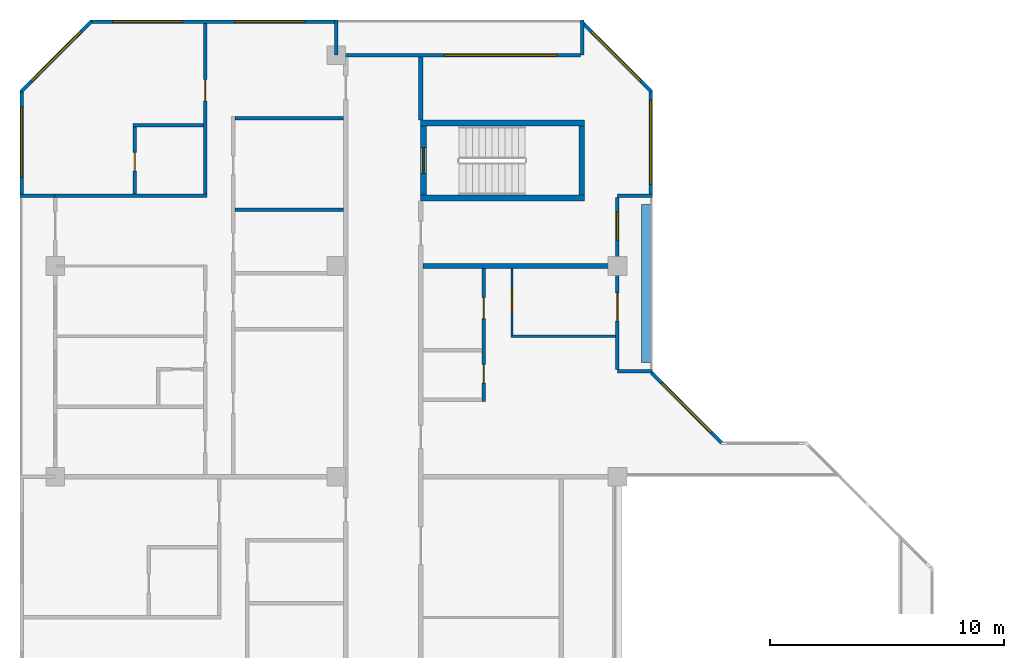
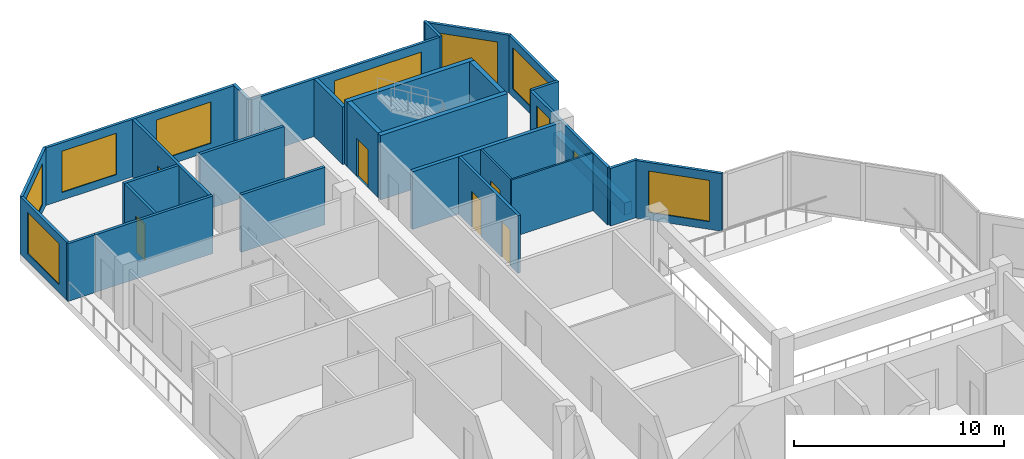
# One storey, part 10 of 13: 29 walls, 9 windows, 7 doors, 16 openings.
"""IFC4 building model written with IfcOpenShell, lengths in metres."""

from ifc_helpers import new_model, si_unit, direction, frame, frame_2d, origin, place, context, subcontext, project, spatial, rectangle, extrude, material, layer, layer_set, type_object, element, fill, save


model = new_model("IFC4")

# Units and contexts
model_context = context("Model", 3, precision=1e-05, world=origin(), true_north=direction((0.0, 1.0)))
body_context = subcontext(model_context, "Body", "Model", "MODEL_VIEW")
ifc_project = project(units=[si_unit("LENGTHUNIT", "METRE"), si_unit("AREAUNIT", "SQUARE_METRE"), si_unit("VOLUMEUNIT", "CUBIC_METRE"), si_unit("PLANEANGLEUNIT", "RADIAN"), si_unit("MASSUNIT", "GRAM", prefix="KILO")], contexts=[model_context])

# Site, building, storey
site_placement = place(None, origin())
site = spatial("IfcSite", under=ifc_project, at=site_placement, CompositionType="ELEMENT")
building_placement = place(site_placement, origin())
building = spatial("IfcBuilding", under=site, at=building_placement, Name="Chenar Terraces", CompositionType="ELEMENT")
storey_placement = place(building_placement, frame((0.0, 0.0, 299.64990234375)))
storey = spatial("IfcBuildingStorey", under=building, at=storey_placement, Name="L70", CompositionType="ELEMENT", Elevation=299.64990234375)

# Walls
ifc_material_1 = material(Name="Concrete C50/60", Category="concrete")
ifc_layer_1 = layer(ifc_material_1, 0.25)
ifc_layer_set_1 = layer_set([ifc_layer_1], Name="Concrete C50/60")
wall_type_1 = type_object("IfcWallType", Name="Core wall 250 Concrete C50/60", PredefinedType="SHEAR", material=ifc_layer_set_1)
for number, where, z_axis, x_axis, name in (
    (1, (15.60009765625, 47.89990234375, 0.0), (0.0, 0.0, 1.0), (1.0, 0.0, 0.0), "Core wall ST4_S L70"),
    (2, (15.60009765625, 51.10009765625, 0.0), (0.0, 0.0, 1.0), (1.0, 0.0, 0.0), "Core wall ST4_N L70"),
):
    element("IfcWall", number, at=place(storey_placement, frame(where, z_axis=z_axis, x_axis=x_axis)), inside=storey, type_object=wall_type_1, Name=name, PredefinedType="SHEAR", context=body_context, shape_type="SweptSolid", body=[
        extrude(rectangle(XDim=7.0, YDim=0.25, at=frame_2d((3.5, 0.0))), origin(), (0.0, 0.0, 1.0), 3.75),
    ])

# Wall, opening, door
wall_1_placement = place(storey_placement, frame((15.72509765625, 48.02490234375, 0.0), z_axis=(0.0, 0.0, 1.0), x_axis=(0.0, 1.0, 0.0)))
wall_1 = element("IfcWall", 3, at=wall_1_placement, inside=storey, type_object=wall_type_1, Name="Core wall ST4_W L70", PredefinedType="SHEAR", context=body_context, shape_type="SweptSolid", body=[
    extrude(rectangle(XDim=2.9501953125, YDim=0.25, at=frame_2d((1.47509765625, 0.0))), origin(), (0.0, 0.0, 1.0), 3.75),
])
opening_1_placement = place(wall_1_placement, frame((0.925048828125, 0.0, 0.0)))
opening_1 = element("IfcOpeningElement", 4, at=opening_1_placement, cuts=wall_1, Name="Opening DL70-C9", PredefinedType="OPENING", context=body_context, shape_type="SweptSolid", body=[
    extrude(rectangle(XDim=1.10009765625, YDim=2.199951171875, at=frame_2d((0.550048828125, 1.10009765625))), frame((0.0, 0.135009765625, 0.0), z_axis=(0.0, -1.0, 0.0), x_axis=(1.0, 0.0, 0.0)), (0.0, 0.0, 1.0), 0.27001953125),
])
ifc_material_2 = material(Name="Steel-framed fire-resisting door leaf", Category="steel")
door_type_1 = type_object("IfcDoorType", Name="Stair fire door FD60 1100 x 2200", OperationType="SINGLE_SWING_LEFT", PredefinedType="DOOR", material=ifc_material_2)
door_1_placement = place(opening_1_placement, frame((1.10009765625, 0.0, 0.0), z_axis=(0.0, 0.0, 1.0), x_axis=(-1.0, 0.0, 0.0)))
door_1 = element("IfcDoor", 5, at=door_1_placement, inside=storey, type_object=door_type_1, Name="Stair door DL70-C9", OperationType="SINGLE_SWING_RIGHT", OverallHeight=2.199951171875, OverallWidth=1.10009765625, PredefinedType="DOOR", context=body_context, shape_type="SweptSolid", body=[
    extrude(rectangle(XDim=1.10009765625, YDim=2.199951171875, at=frame_2d((0.550048828125, 1.10009765625))), frame((0.0, 0.02490234375, 0.0), z_axis=(0.0, -1.0, 0.0), x_axis=(1.0, 0.0, 0.0)), (0.0, 0.0, 1.0), 0.050048828125),
])
fill(opening_1, door_1)

# Walls
wall_2_placement = place(storey_placement, frame((22.47509765625, 48.02490234375, 0.0), z_axis=(0.0, 0.0, 1.0), x_axis=(0.0, 1.0, 0.0)))
element("IfcWall", 6, at=wall_2_placement, inside=storey, type_object=wall_type_1, Name="Core wall ST4_E L70", PredefinedType="SHEAR", context=body_context, shape_type="SweptSolid", body=[
    extrude(rectangle(XDim=2.9501953125, YDim=0.25, at=frame_2d((1.47509765625, 0.0))), origin(), (0.0, 0.0, 1.0), 3.75),
])
ifc_material_3 = material(Name="Gypsum board on steel studs with fire boards", Category="steel")
ifc_layer_2 = layer(ifc_material_3, 0.199951171875)
ifc_layer_set_2 = layer_set([ifc_layer_2], Name="Gypsum board on steel studs with fire boards")
wall_type_2 = type_object("IfcWallType", Name="Corridor wall 200", PredefinedType="PARTITIONING", material=ifc_layer_set_2)
wall_3_placement = place(storey_placement, frame((15.60009765625, 51.22509765625, 0.0), z_axis=(0.0, 0.0, 1.0), x_axis=(0.0, 1.0, 0.0)))
element("IfcWall", 7, at=wall_3_placement, inside=storey, type_object=wall_type_2, Name="Partition L70-034", PredefinedType="PARTITIONING", context=body_context, shape_type="SweptSolid", body=[
    extrude(rectangle(XDim=2.700927734375, YDim=0.199951171875, at=frame_2d((1.3505859375, 0.0))), origin(), (0.0, 0.0, 1.0), 3.35009765625),
])

# Wall, opening, window
ifc_material_4 = material(Name="Aluminium framed glazing", Category="aluminium")
ifc_layer_3 = layer(ifc_material_4, 0.14990234375)
ifc_layer_set_3 = layer_set([ifc_layer_3], Name="Aluminium framed glazing")
wall_type_3 = type_object("IfcWallType", Name="Glazed flush facade wall 150", PredefinedType="SOLIDWALL", material=ifc_layer_set_3)
wall_4_placement = place(storey_placement, frame((25.425048828125, 48.074951171875, 0.0), z_axis=(0.0, 0.0, 1.0), x_axis=(0.0, 1.0, 0.0)))
wall_4 = element("IfcWall", 8, at=wall_4_placement, inside=storey, type_object=wall_type_3, Name="Glazed flush facade wall", PredefinedType="SOLIDWALL", context=body_context, shape_type="SweptSolid", body=[
    extrude(rectangle(XDim=4.425048828125, YDim=0.14990234375, at=frame_2d((2.21240234375, 0.0))), origin(), (0.0, 0.0, 1.0), 3.35009765625),
])
opening_2_placement = place(wall_4_placement, frame((0.41259765625, 0.0, 0.449951171875)))
opening_2 = element("IfcOpeningElement", 9, at=opening_2_placement, cuts=wall_4, Name="Opening W360x240", PredefinedType="OPENING", context=body_context, shape_type="SweptSolid", body=[
    extrude(rectangle(XDim=3.60009765625, YDim=2.39990234375, at=frame_2d((1.800048828125, 1.199951171875))), frame((0.0, 0.0849609375, 0.0), z_axis=(0.0, -1.0, 0.0), x_axis=(1.0, 0.0, 0.0)), (0.0, 0.0, 1.0), 0.169921875),
])
ifc_material_5 = material(Name="Low emissivity double glazing, aluminium frame", Category="aluminium")
window_type_1 = type_object("IfcWindowType", Name="Fixed light 3600 x 2400", PartitioningType="SINGLE_PANEL", PredefinedType="WINDOW", material=ifc_material_5)
window_1_placement = place(opening_2_placement, origin())
window_1 = element("IfcWindow", 10, at=window_1_placement, inside=storey, type_object=window_type_1, Name="Window", OverallHeight=2.39990234375, OverallWidth=3.60009765625, PartitioningType="SINGLE_PANEL", PredefinedType="WINDOW", context=body_context, shape_type="SweptSolid", body=[
    extrude(rectangle(XDim=3.60009765625, YDim=2.39990234375, at=frame_2d((1.800048828125, 1.199951171875))), frame((0.0, 0.030029296875, 0.0), z_axis=(0.0, -1.0, 0.0), x_axis=(1.0, 0.0, 0.0)), (0.0, 0.0, 1.0), 0.06005859375),
])
fill(opening_2, window_1)

# Wall, openings, windows
wall_5_placement = place(storey_placement, frame((11.925048828125, 55.425048828125, 0.0), z_axis=(0.0, 0.0, 1.0), x_axis=(-1.0, 0.0, 0.0)))
wall_5 = element("IfcWall", 11, at=wall_5_placement, inside=storey, type_object=wall_type_3, Name="Glazed flush facade wall", PredefinedType="SOLIDWALL", context=body_context, shape_type="SweptSolid", body=[
    extrude(rectangle(XDim=10.425048828125, YDim=0.14990234375, at=frame_2d((5.21240234375, 0.0))), origin(), (0.0, 0.0, 1.0), 3.35009765625),
])
opening_3_placement = place(wall_5_placement, frame((1.262451171875, 0.0, 0.449951171875)))
opening_3 = element("IfcOpeningElement", 12, at=opening_3_placement, cuts=wall_5, Name="Opening W300x240", PredefinedType="OPENING", context=body_context, shape_type="SweptSolid", body=[
    extrude(rectangle(XDim=3.0, YDim=2.39990234375, at=frame_2d((1.5, 1.199951171875))), frame((0.0, 0.0849609375, 0.0), z_axis=(0.0, -1.0, 0.0), x_axis=(1.0, 0.0, 0.0)), (0.0, 0.0, 1.0), 0.169921875),
])
opening_4_placement = place(wall_5_placement, frame((6.47509765625, 0.0, 0.449951171875)))
opening_4 = element("IfcOpeningElement", 13, at=opening_4_placement, cuts=wall_5, Name="Opening W300x240", PredefinedType="OPENING", context=body_context, shape_type="SweptSolid", body=[
    extrude(rectangle(XDim=3.0, YDim=2.39990234375, at=frame_2d((1.5, 1.199951171875))), frame((0.0, 0.0849609375, 0.0), z_axis=(0.0, -1.0, 0.0), x_axis=(1.0, 0.0, 0.0)), (0.0, 0.0, 1.0), 0.169921875),
])
ifc_material_6 = material(Name="Low emissivity double glazing, aluminium frame", Category="aluminium")
window_type_2 = type_object("IfcWindowType", Name="Fixed light 3000 x 2400", PartitioningType="SINGLE_PANEL", PredefinedType="WINDOW", material=ifc_material_6)
window_2_placement = place(opening_3_placement, origin())
window_2 = element("IfcWindow", 14, at=window_2_placement, inside=storey, type_object=window_type_2, Name="Window", OverallHeight=2.39990234375, OverallWidth=3.0, PartitioningType="SINGLE_PANEL", PredefinedType="WINDOW", context=body_context, shape_type="SweptSolid", body=[
    extrude(rectangle(XDim=3.0, YDim=2.39990234375, at=frame_2d((1.5, 1.199951171875))), frame((0.0, 0.030029296875, 0.0), z_axis=(0.0, -1.0, 0.0), x_axis=(1.0, 0.0, 0.0)), (0.0, 0.0, 1.0), 0.06005859375),
])
fill(opening_3, window_2)
window_3_placement = place(opening_4_placement, origin())
window_3 = element("IfcWindow", 15, at=window_3_placement, inside=storey, type_object=window_type_2, Name="Window", OverallHeight=2.39990234375, OverallWidth=3.0, PartitioningType="SINGLE_PANEL", PredefinedType="WINDOW", context=body_context, shape_type="SweptSolid", body=[
    extrude(rectangle(XDim=3.0, YDim=2.39990234375, at=frame_2d((1.5, 1.199951171875))), frame((0.0, 0.030029296875, 0.0), z_axis=(0.0, -1.0, 0.0), x_axis=(1.0, 0.0, 0.0)), (0.0, 0.0, 1.0), 0.06005859375),
])
fill(opening_4, window_3)

# Wall, opening, window
wall_6_placement = place(storey_placement, frame((-1.425048828125, 52.5, 0.0), z_axis=(0.0, 0.0, 1.0), x_axis=(0.0, -1.0, 0.0)))
wall_6 = element("IfcWall", 16, at=wall_6_placement, inside=storey, type_object=wall_type_3, Name="Glazed flush facade wall", PredefinedType="SOLIDWALL", context=body_context, shape_type="SweptSolid", body=[
    extrude(rectangle(XDim=4.425048828125, YDim=0.14990234375, at=frame_2d((2.21240234375, 0.0))), origin(), (0.0, 0.0, 1.0), 3.35009765625),
])
opening_5_placement = place(wall_6_placement, frame((0.71240234375, 0.0, 0.449951171875)))
opening_5 = element("IfcOpeningElement", 17, at=opening_5_placement, cuts=wall_6, Name="Opening W300x240", PredefinedType="OPENING", context=body_context, shape_type="SweptSolid", body=[
    extrude(rectangle(XDim=3.0, YDim=2.39990234375, at=frame_2d((1.5, 1.199951171875))), frame((0.0, 0.0849609375, 0.0), z_axis=(0.0, -1.0, 0.0), x_axis=(1.0, 0.0, 0.0)), (0.0, 0.0, 1.0), 0.169921875),
])
window_4_placement = place(opening_5_placement, origin())
window_4 = element("IfcWindow", 18, at=window_4_placement, inside=storey, type_object=window_type_2, Name="Window", OverallHeight=2.39990234375, OverallWidth=3.0, PartitioningType="SINGLE_PANEL", PredefinedType="WINDOW", context=body_context, shape_type="SweptSolid", body=[
    extrude(rectangle(XDim=3.0, YDim=2.39990234375, at=frame_2d((1.5, 1.199951171875))), frame((0.0, 0.030029296875, 0.0), z_axis=(0.0, -1.0, 0.0), x_axis=(1.0, 0.0, 0.0)), (0.0, 0.0, 1.0), 0.06005859375),
])
fill(opening_5, window_4)

# Wall, openings, window, door
ifc_material_7 = material(Name="Aluminium framed glazing", Category="aluminium")
ifc_layer_4 = layer(ifc_material_7, 0.14990234375)
ifc_layer_set_4 = layer_set([ifc_layer_4], Name="Aluminium framed glazing")
wall_type_4 = type_object("IfcWallType", Name="Glazed loggia back wall 150", PredefinedType="SOLIDWALL", material=ifc_layer_set_4)
wall_7_placement = place(storey_placement, frame((24.0, 40.574951171875, 0.0), z_axis=(0.0, 0.0, 1.0), x_axis=(0.0, 1.0, 0.0)))
wall_7 = element("IfcWall", 19, at=wall_7_placement, inside=storey, type_object=wall_type_4, Name="Glazed loggia back wall", PredefinedType="SOLIDWALL", context=body_context, shape_type="SweptSolid", body=[
    extrude(rectangle(XDim=7.35009765625, YDim=0.14990234375, at=frame_2d((3.675048828125, 0.0))), origin(), (0.0, 0.0, 1.0), 3.35009765625),
])
opening_6_placement = place(wall_7_placement, frame((2.074951171875, 0.0, 0.0)))
opening_6 = element("IfcOpeningElement", 20, at=opening_6_placement, cuts=wall_7, Name="Opening DL70-G1", PredefinedType="OPENING", context=body_context, shape_type="SweptSolid", body=[
    extrude(rectangle(XDim=1.199951171875, YDim=2.39990234375, at=frame_2d((0.60009765625, 1.199951171875))), frame((0.0, 0.0849609375, 0.0), z_axis=(0.0, -1.0, 0.0), x_axis=(1.0, 0.0, 0.0)), (0.0, 0.0, 1.0), 0.169921875),
])
opening_7_placement = place(wall_7_placement, frame((5.53759765625, 0.0, 0.449951171875)))
opening_7 = element("IfcOpeningElement", 21, at=opening_7_placement, cuts=wall_7, Name="Opening W120x240", PredefinedType="OPENING", context=body_context, shape_type="SweptSolid", body=[
    extrude(rectangle(XDim=1.199951171875, YDim=2.39990234375, at=frame_2d((0.60009765625, 1.199951171875))), frame((0.0, 0.0849609375, 0.0), z_axis=(0.0, -1.0, 0.0), x_axis=(1.0, 0.0, 0.0)), (0.0, 0.0, 1.0), 0.169921875),
])
ifc_material_8 = material(Name="Low emissivity double glazing, aluminium frame", Category="aluminium")
window_type_3 = type_object("IfcWindowType", Name="Fixed light 1200 x 2400", PartitioningType="SINGLE_PANEL", PredefinedType="WINDOW", material=ifc_material_8)
window_5_placement = place(opening_7_placement, origin())
window_5 = element("IfcWindow", 22, at=window_5_placement, inside=storey, type_object=window_type_3, Name="Window", OverallHeight=2.39990234375, OverallWidth=1.199951171875, PartitioningType="SINGLE_PANEL", PredefinedType="WINDOW", context=body_context, shape_type="SweptSolid", body=[
    extrude(rectangle(XDim=1.199951171875, YDim=2.39990234375, at=frame_2d((0.60009765625, 1.199951171875))), frame((0.0, 0.030029296875, 0.0), z_axis=(0.0, -1.0, 0.0), x_axis=(1.0, 0.0, 0.0)), (0.0, 0.0, 1.0), 0.06005859375),
])
fill(opening_7, window_5)
ifc_material_9 = material(Name="Low emissivity double glazing, aluminium frame", Category="aluminium")
door_type_2 = type_object("IfcDoorType", Name="Loggia glazed double door 1200 x 2400", OperationType="DOUBLE_DOOR_SINGLE_SWING", PredefinedType="DOOR", material=ifc_material_9)
door_2_placement = place(opening_6_placement, frame((1.199951171875, 0.0, 0.0), z_axis=(0.0, 0.0, 1.0), x_axis=(-1.0, 0.0, 0.0)))
door_2 = element("IfcDoor", 23, at=door_2_placement, inside=storey, type_object=door_type_2, Name="Loggia glazed door", OperationType="DOUBLE_DOOR_SINGLE_SWING", OverallHeight=2.39990234375, OverallWidth=1.199951171875, PredefinedType="DOOR", context=body_context, shape_type="SweptSolid", body=[
    extrude(rectangle(XDim=1.199951171875, YDim=2.39990234375, at=frame_2d((0.60009765625, 1.199951171875))), frame((0.0, 0.02490234375, 0.0), z_axis=(0.0, -1.0, 0.0), x_axis=(1.0, 0.0, 0.0)), (0.0, 0.0, 1.0), 0.050048828125),
])
fill(opening_6, door_2)

# Wall, opening, window
wall_8_placement = place(storey_placement, frame((22.425048828125, 54.0, 0.0), z_axis=(0.0, 0.0, 1.0), x_axis=(-1.0, 0.0, 0.0)))
wall_8 = element("IfcWall", 24, at=wall_8_placement, inside=storey, type_object=wall_type_4, Name="Glazed loggia back wall", PredefinedType="SOLIDWALL", context=body_context, shape_type="SweptSolid", body=[
    extrude(rectangle(XDim=10.35009765625, YDim=0.14990234375, at=frame_2d((5.175048828125, 0.0))), origin(), (0.0, 0.0, 1.0), 3.35009765625),
])
opening_8_placement = place(wall_8_placement, frame((1.012451171875, 0.0, 0.449951171875)))
opening_8 = element("IfcOpeningElement", 25, at=opening_8_placement, cuts=wall_8, Name="Opening W480x240", PredefinedType="OPENING", context=body_context, shape_type="SweptSolid", body=[
    extrude(rectangle(XDim=4.800048828125, YDim=2.39990234375, at=frame_2d((2.39990234375, 1.199951171875))), frame((0.0, 0.0849609375, 0.0), z_axis=(0.0, -1.0, 0.0), x_axis=(1.0, 0.0, 0.0)), (0.0, 0.0, 1.0), 0.169921875),
])
ifc_material_10 = material(Name="Low emissivity double glazing, aluminium frame", Category="aluminium")
window_type_4 = type_object("IfcWindowType", Name="Fixed light 4800 x 2400", PartitioningType="SINGLE_PANEL", PredefinedType="WINDOW", material=ifc_material_10)
window_6_placement = place(opening_8_placement, origin())
window_6 = element("IfcWindow", 26, at=window_6_placement, inside=storey, type_object=window_type_4, Name="Window", OverallHeight=2.39990234375, OverallWidth=4.800048828125, PartitioningType="SINGLE_PANEL", PredefinedType="WINDOW", context=body_context, shape_type="SweptSolid", body=[
    extrude(rectangle(XDim=4.800048828125, YDim=2.39990234375, at=frame_2d((2.39990234375, 1.199951171875))), frame((0.0, 0.030029296875, 0.0), z_axis=(0.0, -1.0, 0.0), x_axis=(1.0, 0.0, 0.0)), (0.0, 0.0, 1.0), 0.06005859375),
])
fill(opening_8, window_6)

# Wall
ifc_material_11 = material(Name="Gypsum board on steel studs", Category="steel")
ifc_layer_5 = layer(ifc_material_11, 0.10009765625)
ifc_layer_set_5 = layer_set([ifc_layer_5], Name="Gypsum board on steel studs")
wall_type_5 = type_object("IfcWallType", Name="Gypsum partition 100", PredefinedType="PARTITIONING", material=ifc_layer_set_5)
wall_9_placement = place(storey_placement, frame((19.449951171875, 42.0, 0.0), z_axis=(0.0, 0.0, 1.0), x_axis=(1.0, 0.0, 0.0)))
element("IfcWall", 27, at=wall_9_placement, inside=storey, type_object=wall_type_5, Name="Partition L70-042", PredefinedType="PARTITIONING", context=body_context, shape_type="SweptSolid", body=[
    extrude(rectangle(XDim=4.47607421875, YDim=0.10009765625, at=frame_2d((2.238037109375, 0.0))), origin(), (0.0, 0.0, 1.0), 3.35009765625),
])

# Wall, opening, door
wall_10_placement = place(storey_placement, frame((19.5, 42.050048828125, 0.0), z_axis=(0.0, 0.0, 1.0), x_axis=(0.0, 1.0, 0.0)))
wall_10 = element("IfcWall", 28, at=wall_10_placement, inside=storey, type_object=wall_type_5, Name="Partition L70-043", PredefinedType="PARTITIONING", context=body_context, shape_type="SweptSolid", body=[
    extrude(rectangle(XDim=2.849853515625, YDim=0.10009765625, at=frame_2d((1.4248046875, 0.0))), origin(), (0.0, 0.0, 1.0), 3.35009765625),
])
opening_9_placement = place(wall_10_placement, frame((1.0, 0.0, 0.0)))
opening_9 = element("IfcOpeningElement", 29, at=opening_9_placement, cuts=wall_10, Name="Opening DL70-13", PredefinedType="OPENING", context=body_context, shape_type="SweptSolid", body=[
    extrude(rectangle(XDim=0.89990234375, YDim=2.10009765625, at=frame_2d((0.449951171875, 1.050048828125))), frame((0.0, 0.06005859375, 0.0), z_axis=(0.0, -1.0, 0.0), x_axis=(1.0, 0.0, 0.0)), (0.0, 0.0, 1.0), 0.1201171875),
])
ifc_material_12 = material(Name="Veneered timber door leaf", Category="wood")
door_type_3 = type_object("IfcDoorType", Name="Door 900 x 2100", OperationType="SINGLE_SWING_LEFT", PredefinedType="DOOR", material=ifc_material_12)
door_3_placement = place(opening_9_placement, frame((0.89990234375, 0.0, 0.0), z_axis=(0.0, 0.0, 1.0), x_axis=(-1.0, 0.0, 0.0)))
door_3 = element("IfcDoor", 30, at=door_3_placement, inside=storey, type_object=door_type_3, Name="Door DL70-13", OperationType="SINGLE_SWING_LEFT", OverallHeight=2.10009765625, OverallWidth=0.89990234375, PredefinedType="DOOR", context=body_context, shape_type="SweptSolid", body=[
    extrude(rectangle(XDim=0.89990234375, YDim=2.10009765625, at=frame_2d((0.449951171875, 1.050048828125))), frame((0.0, 0.02490234375, 0.0), z_axis=(0.0, -1.0, 0.0), x_axis=(1.0, 0.0, 0.0)), (0.0, 0.0, 1.0), 0.050048828125),
])
fill(opening_9, door_3)

# Walls
ifc_material_13 = material(Name="Terracotta cladding on insulated backing", Category="masonry")
ifc_layer_6 = layer(ifc_material_13, 0.14990234375)
ifc_layer_set_6 = layer_set([ifc_layer_6], Name="Terracotta cladding on insulated backing")
wall_type_6 = type_object("IfcWallType", Name="Loggia return wall 150", PredefinedType="SOLIDWALL", material=ifc_layer_set_6)
for number, where, z_axis, x_axis, name in (
    (31, (25.5, 40.5, 0.0), (0.0, 0.0, 1.0), (-1.0, 0.0, 0.0), "Loggia return wall"),
    (32, (25.5, 48.0, 0.0), (0.0, 0.0, 1.0), (-1.0, 0.0, 0.0), "Loggia return wall"),
    (33, (22.5, 55.5, 0.0), (0.0, 0.0, 1.0), (0.0, -1.0, 0.0), "Loggia return wall"),
    (34, (12.0, 55.5, 0.0), (0.0, 0.0, 1.0), (0.0, -1.0, 0.0), "Loggia return wall"),
    (35, (-1.5, 48.0, 0.0), (0.0, 0.0, 1.0), (1.0, 0.0, 0.0), "Loggia return wall"),
):
    element("IfcWall", number, at=place(storey_placement, frame(where, z_axis=z_axis, x_axis=x_axis)), inside=storey, type_object=wall_type_6, Name=name, PredefinedType="SOLIDWALL", context=body_context, shape_type="SweptSolid", body=[
        extrude(rectangle(XDim=1.5, YDim=0.14990234375, at=frame_2d((0.75, 0.0))), origin(), (0.0, 0.0, 1.0), 3.35009765625),
    ])

# Wall, opening, window
ifc_material_14 = material(Name="Terracotta cladding on insulated backing", Category="masonry")
ifc_layer_7 = layer(ifc_material_14, 0.14990234375)
ifc_layer_set_7 = layer_set([ifc_layer_7], Name="Terracotta cladding on insulated backing")
wall_type_7 = type_object("IfcWallType", Name="Terracotta rainscreen wall 150", PredefinedType="SOLIDWALL", material=ifc_layer_set_7)
wall_11_placement = place(storey_placement, frame((28.447021484375, 37.447021484375, 0.0), z_axis=(0.0, 0.0, 1.0), x_axis=(-0.707106781187, 0.707106781187, 0.0)))
wall_11 = element("IfcWall", 36, at=wall_11_placement, inside=storey, type_object=wall_type_7, Name="Terracotta rainscreen wall", PredefinedType="SOLIDWALL", context=body_context, shape_type="SweptSolid", body=[
    extrude(rectangle(XDim=4.24267578125, YDim=0.14990234375, at=frame_2d((2.121337890625, 0.0))), origin(), (0.0, 0.0, 1.0), 3.35009765625),
])
opening_10_placement = place(wall_11_placement, frame((0.621337890625, 0.0, 0.449951171875)))
opening_10 = element("IfcOpeningElement", 37, at=opening_10_placement, cuts=wall_11, Name="Opening W300x240", PredefinedType="OPENING", context=body_context, shape_type="SweptSolid", body=[
    extrude(rectangle(XDim=3.0, YDim=2.39990234375, at=frame_2d((1.5, 1.199951171875))), frame((0.0, 0.0849609375, 0.0), z_axis=(0.0, -1.0, 0.0), x_axis=(1.0, 0.0, 0.0)), (0.0, 0.0, 1.0), 0.169921875),
])
window_7_placement = place(opening_10_placement, origin())
window_7 = element("IfcWindow", 38, at=window_7_placement, inside=storey, type_object=window_type_2, Name="Window", OverallHeight=2.39990234375, OverallWidth=3.0, PartitioningType="SINGLE_PANEL", PredefinedType="WINDOW", context=body_context, shape_type="SweptSolid", body=[
    extrude(rectangle(XDim=3.0, YDim=2.39990234375, at=frame_2d((1.5, 1.199951171875))), frame((0.0, 0.030029296875, 0.0), z_axis=(0.0, -1.0, 0.0), x_axis=(1.0, 0.0, 0.0)), (0.0, 0.0, 1.0), 0.06005859375),
])
fill(opening_10, window_7)

wall_12_placement = place(storey_placement, frame((25.447021484375, 52.447021484375, 0.0), z_axis=(0.0, 0.0, 1.0), x_axis=(-0.707106781187, 0.707106781187, 0.0)))
wall_12 = element("IfcWall", 39, at=wall_12_placement, inside=storey, type_object=wall_type_7, Name="Terracotta rainscreen wall", PredefinedType="SOLIDWALL", context=body_context, shape_type="SweptSolid", body=[
    extrude(rectangle(XDim=4.24267578125, YDim=0.14990234375, at=frame_2d((2.121337890625, 0.0))), origin(), (0.0, 0.0, 1.0), 3.35009765625),
])
opening_11_placement = place(wall_12_placement, frame((0.621337890625, 0.0, 0.449951171875)))
opening_11 = element("IfcOpeningElement", 40, at=opening_11_placement, cuts=wall_12, Name="Opening W300x240", PredefinedType="OPENING", context=body_context, shape_type="SweptSolid", body=[
    extrude(rectangle(XDim=3.0, YDim=2.39990234375, at=frame_2d((1.5, 1.199951171875))), frame((0.0, 0.0849609375, 0.0), z_axis=(0.0, -1.0, 0.0), x_axis=(1.0, 0.0, 0.0)), (0.0, 0.0, 1.0), 0.169921875),
])
window_8_placement = place(opening_11_placement, origin())
window_8 = element("IfcWindow", 41, at=window_8_placement, inside=storey, type_object=window_type_2, Name="Window", OverallHeight=2.39990234375, OverallWidth=3.0, PartitioningType="SINGLE_PANEL", PredefinedType="WINDOW", context=body_context, shape_type="SweptSolid", body=[
    extrude(rectangle(XDim=3.0, YDim=2.39990234375, at=frame_2d((1.5, 1.199951171875))), frame((0.0, 0.030029296875, 0.0), z_axis=(0.0, -1.0, 0.0), x_axis=(1.0, 0.0, 0.0)), (0.0, 0.0, 1.0), 0.06005859375),
])
fill(opening_11, window_8)

wall_13_placement = place(storey_placement, frame((1.552978515625, 55.447021484375, 0.0), z_axis=(0.0, 0.0, 1.0), x_axis=(-0.707106781187, -0.707106781187, 0.0)))
wall_13 = element("IfcWall", 42, at=wall_13_placement, inside=storey, type_object=wall_type_7, Name="Terracotta rainscreen wall", PredefinedType="SOLIDWALL", context=body_context, shape_type="SweptSolid", body=[
    extrude(rectangle(XDim=4.24267578125, YDim=0.14990234375, at=frame_2d((2.121337890625, 0.0))), origin(), (0.0, 0.0, 1.0), 3.35009765625),
])
opening_12_placement = place(wall_13_placement, frame((0.621337890625, 0.0, 0.449951171875)))
opening_12 = element("IfcOpeningElement", 43, at=opening_12_placement, cuts=wall_13, Name="Opening W300x240", PredefinedType="OPENING", context=body_context, shape_type="SweptSolid", body=[
    extrude(rectangle(XDim=3.0, YDim=2.39990234375, at=frame_2d((1.5, 1.199951171875))), frame((0.0, 0.0849609375, 0.0), z_axis=(0.0, -1.0, 0.0), x_axis=(1.0, 0.0, 0.0)), (0.0, 0.0, 1.0), 0.169921875),
])
window_9_placement = place(opening_12_placement, origin())
window_9 = element("IfcWindow", 44, at=window_9_placement, inside=storey, type_object=window_type_2, Name="Window", OverallHeight=2.39990234375, OverallWidth=3.0, PartitioningType="SINGLE_PANEL", PredefinedType="WINDOW", context=body_context, shape_type="SweptSolid", body=[
    extrude(rectangle(XDim=3.0, YDim=2.39990234375, at=frame_2d((1.5, 1.199951171875))), frame((0.0, 0.030029296875, 0.0), z_axis=(0.0, -1.0, 0.0), x_axis=(1.0, 0.0, 0.0)), (0.0, 0.0, 1.0), 0.06005859375),
])
fill(opening_12, window_9)

# Walls
ifc_material_15 = material(Name="Twin gypsum board on steel studs with mineral wool", Category="steel")
ifc_layer_8 = layer(ifc_material_15, 0.199951171875)
ifc_layer_set_8 = layer_set([ifc_layer_8], Name="Twin gypsum board on steel studs with mineral wool")
wall_type_8 = type_object("IfcWallType", Name="Unit demising wall 200", PredefinedType="PARTITIONING", material=ifc_layer_set_8)
wall_14_placement = place(storey_placement, frame((15.699951171875, 45.0, 0.0), z_axis=(0.0, 0.0, 1.0), x_axis=(1.0, 0.0, 0.0)))
element("IfcWall", 45, at=wall_14_placement, inside=storey, type_object=wall_type_8, Name="Partition L70-040", PredefinedType="PARTITIONING", context=body_context, shape_type="SweptSolid", body=[
    extrude(rectangle(XDim=8.22607421875, YDim=0.199951171875, at=frame_2d((4.113037109375, 0.0))), origin(), (0.0, 0.0, 1.0), 3.35009765625),
])
ifc_material_16 = material(Name="GRP planter trough")
ifc_layer_9 = layer(ifc_material_16, 0.39990234375)
ifc_layer_set_9 = layer_set([ifc_layer_9], Name="GRP planter trough")
wall_type_9 = type_object("IfcWallType", Name="Vertical greenery planter 400", PredefinedType="SOLIDWALL", material=ifc_layer_set_9)
wall_15_placement = place(storey_placement, frame((25.22900390625, 40.875, 0.0), z_axis=(0.0, 0.0, 1.0), x_axis=(0.0, 1.0, 0.0)))
element("IfcWall", 46, at=wall_15_placement, inside=storey, type_object=wall_type_9, Name="Vertical greenery planter", PredefinedType="SOLIDWALL", context=body_context, shape_type="SweptSolid", body=[
    extrude(rectangle(XDim=6.75, YDim=0.39990234375, at=frame_2d((3.375, 0.0))), origin(), (0.0, 0.0, 1.0), 0.7001953125),
])
ifc_material_17 = material(Name="Moisture-resistant gypsum board on steel studs", Category="steel")
ifc_layer_10 = layer(ifc_material_17, 0.14990234375)
ifc_layer_set_10 = layer_set([ifc_layer_10], Name="Moisture-resistant gypsum board on steel studs")
wall_type_10 = type_object("IfcWallType", Name="Wet-room partition 150", PredefinedType="PARTITIONING", material=ifc_layer_set_10)
wall_16_placement = place(storey_placement, frame((0.0, 48.0, 0.0), z_axis=(0.0, 0.0, 1.0), x_axis=(1.0, 0.0, 0.0)))
element("IfcWall", 47, at=wall_16_placement, inside=storey, type_object=wall_type_10, Name="Partition L70-003", PredefinedType="PARTITIONING", context=body_context, shape_type="SweptSolid", body=[
    extrude(rectangle(XDim=6.47509765625, YDim=0.14990234375, at=frame_2d((3.237548828125, 0.0))), origin(), (0.0, 0.0, 1.0), 3.35009765625),
])
wall_17_placement = place(storey_placement, frame((3.324951171875, 51.0, 0.0), z_axis=(0.0, 0.0, 1.0), x_axis=(1.0, 0.0, 0.0)))
element("IfcWall", 48, at=wall_17_placement, inside=storey, type_object=wall_type_10, Name="Partition L70-010", PredefinedType="PARTITIONING", context=body_context, shape_type="SweptSolid", body=[
    extrude(rectangle(XDim=3.0, YDim=0.14990234375, at=frame_2d((1.5, 0.0))), origin(), (0.0, 0.0, 1.0), 3.35009765625),
])

# Wall, opening, door
wall_18_placement = place(storey_placement, frame((3.39990234375, 48.074951171875, 0.0), z_axis=(0.0, 0.0, 1.0), x_axis=(0.0, 1.0, 0.0)))
wall_18 = element("IfcWall", 49, at=wall_18_placement, inside=storey, type_object=wall_type_10, Name="Partition L70-011", PredefinedType="PARTITIONING", context=body_context, shape_type="SweptSolid", body=[
    extrude(rectangle(XDim=2.85009765625, YDim=0.14990234375, at=frame_2d((1.425048828125, 0.0))), origin(), (0.0, 0.0, 1.0), 3.35009765625),
])
opening_13_placement = place(wall_18_placement, frame((0.97509765625, 0.0, 0.0)))
opening_13 = element("IfcOpeningElement", 50, at=opening_13_placement, cuts=wall_18, Name="Opening DL70-20", PredefinedType="OPENING", context=body_context, shape_type="SweptSolid", body=[
    extrude(rectangle(XDim=0.800048828125, YDim=2.10009765625, at=frame_2d((0.39990234375, 1.050048828125))), frame((0.0, 0.0849609375, 0.0), z_axis=(0.0, -1.0, 0.0), x_axis=(1.0, 0.0, 0.0)), (0.0, 0.0, 1.0), 0.169921875),
])
ifc_material_18 = material(Name="Veneered timber door leaf", Category="wood")
door_type_4 = type_object("IfcDoorType", Name="Door 800 x 2100", OperationType="SINGLE_SWING_LEFT", PredefinedType="DOOR", material=ifc_material_18)
door_4_placement = place(opening_13_placement, frame((0.800048828125, 0.0, 0.0), z_axis=(0.0, 0.0, 1.0), x_axis=(-1.0, 0.0, 0.0)))
door_4 = element("IfcDoor", 51, at=door_4_placement, inside=storey, type_object=door_type_4, Name="Door DL70-20", OperationType="SINGLE_SWING_RIGHT", OverallHeight=2.10009765625, OverallWidth=0.800048828125, PredefinedType="DOOR", context=body_context, shape_type="SweptSolid", body=[
    extrude(rectangle(XDim=0.800048828125, YDim=2.10009765625, at=frame_2d((0.39990234375, 1.050048828125))), frame((0.0, 0.02490234375, 0.0), z_axis=(0.0, -1.0, 0.0), x_axis=(1.0, 0.0, 0.0)), (0.0, 0.0, 1.0), 0.050048828125),
])
fill(opening_13, door_4)

wall_19_placement = place(storey_placement, frame((6.39990234375, 48.074951171875, 0.0), z_axis=(0.0, 0.0, 1.0), x_axis=(0.0, 1.0, 0.0)))
wall_19 = element("IfcWall", 52, at=wall_19_placement, inside=storey, type_object=wall_type_10, Name="Partition L70-017", PredefinedType="PARTITIONING", context=body_context, shape_type="SweptSolid", body=[
    extrude(rectangle(XDim=7.275146484375, YDim=0.14990234375, at=frame_2d((3.6376953125, 0.0))), origin(), (0.0, 0.0, 1.0), 3.35009765625),
])
opening_14_placement = place(wall_19_placement, frame((3.97509765625, 0.0, 0.0)))
opening_14 = element("IfcOpeningElement", 53, at=opening_14_placement, cuts=wall_19, Name="Opening DL70-19", PredefinedType="OPENING", context=body_context, shape_type="SweptSolid", body=[
    extrude(rectangle(XDim=0.89990234375, YDim=2.10009765625, at=frame_2d((0.449951171875, 1.050048828125))), frame((0.0, 0.0849609375, 0.0), z_axis=(0.0, -1.0, 0.0), x_axis=(1.0, 0.0, 0.0)), (0.0, 0.0, 1.0), 0.169921875),
])
door_5_placement = place(opening_14_placement, origin())
door_5 = element("IfcDoor", 54, at=door_5_placement, inside=storey, type_object=door_type_3, Name="Door DL70-19", OperationType="SINGLE_SWING_LEFT", OverallHeight=2.10009765625, OverallWidth=0.89990234375, PredefinedType="DOOR", context=body_context, shape_type="SweptSolid", body=[
    extrude(rectangle(XDim=0.89990234375, YDim=2.10009765625, at=frame_2d((0.449951171875, 1.050048828125))), frame((0.0, 0.02490234375, 0.0), z_axis=(0.0, -1.0, 0.0), x_axis=(1.0, 0.0, 0.0)), (0.0, 0.0, 1.0), 0.050048828125),
])
fill(opening_14, door_5)

# Walls
for number, where, z_axis, x_axis, name in (
    (55, (7.675048828125, 47.39990234375, 0.0), (0.0, 0.0, 1.0), (1.0, 0.0, 0.0), "Partition L70-022"),
    (56, (7.675048828125, 51.300048828125, 0.0), (0.0, 0.0, 1.0), (1.0, 0.0, 0.0), "Partition L70-023"),
):
    element("IfcWall", number, at=place(storey_placement, frame(where, z_axis=z_axis, x_axis=x_axis)), inside=storey, type_object=wall_type_10, Name=name, PredefinedType="PARTITIONING", context=body_context, shape_type="SweptSolid", body=[
        extrude(rectangle(XDim=4.625, YDim=0.14990234375, at=frame_2d((2.3125, 0.0))), origin(), (0.0, 0.0, 1.0), 3.35009765625),
    ])

# Wall, openings, doors
wall_20_placement = place(storey_placement, frame((18.300048828125, 39.22509765625, 0.0), z_axis=(0.0, 0.0, 1.0), x_axis=(0.0, 1.0, 0.0)))
wall_20 = element("IfcWall", 57, at=wall_20_placement, inside=storey, type_object=wall_type_10, Name="Partition L70-041", PredefinedType="PARTITIONING", context=body_context, shape_type="SweptSolid", body=[
    extrude(rectangle(XDim=5.6748046875, YDim=0.14990234375, at=frame_2d((2.83740234375, 0.0))), origin(), (0.0, 0.0, 1.0), 3.35009765625),
])
opening_15_placement = place(wall_20_placement, frame((0.77490234375, 0.0, 0.0)))
opening_15 = element("IfcOpeningElement", 58, at=opening_15_placement, cuts=wall_20, Name="Opening DL70-12", PredefinedType="OPENING", context=body_context, shape_type="SweptSolid", body=[
    extrude(rectangle(XDim=0.800048828125, YDim=2.10009765625, at=frame_2d((0.39990234375, 1.050048828125))), frame((0.0, 0.0849609375, 0.0), z_axis=(0.0, -1.0, 0.0), x_axis=(1.0, 0.0, 0.0)), (0.0, 0.0, 1.0), 0.169921875),
])
opening_16_placement = place(wall_20_placement, frame((3.52490234375, 0.0, 0.0)))
opening_16 = element("IfcOpeningElement", 59, at=opening_16_placement, cuts=wall_20, Name="Opening DL70-14", PredefinedType="OPENING", context=body_context, shape_type="SweptSolid", body=[
    extrude(rectangle(XDim=0.89990234375, YDim=2.10009765625, at=frame_2d((0.449951171875, 1.050048828125))), frame((0.0, 0.0849609375, 0.0), z_axis=(0.0, -1.0, 0.0), x_axis=(1.0, 0.0, 0.0)), (0.0, 0.0, 1.0), 0.169921875),
])
door_6_placement = place(opening_15_placement, origin())
door_6 = element("IfcDoor", 60, at=door_6_placement, inside=storey, type_object=door_type_4, Name="Door DL70-12", OperationType="SINGLE_SWING_RIGHT", OverallHeight=2.10009765625, OverallWidth=0.800048828125, PredefinedType="DOOR", context=body_context, shape_type="SweptSolid", body=[
    extrude(rectangle(XDim=0.800048828125, YDim=2.10009765625, at=frame_2d((0.39990234375, 1.050048828125))), frame((0.0, 0.02490234375, 0.0), z_axis=(0.0, -1.0, 0.0), x_axis=(1.0, 0.0, 0.0)), (0.0, 0.0, 1.0), 0.050048828125),
])
fill(opening_15, door_6)
door_7_placement = place(opening_16_placement, origin())
door_7 = element("IfcDoor", 61, at=door_7_placement, inside=storey, type_object=door_type_3, Name="Door DL70-14", OperationType="SINGLE_SWING_LEFT", OverallHeight=2.10009765625, OverallWidth=0.89990234375, PredefinedType="DOOR", context=body_context, shape_type="SweptSolid", body=[
    extrude(rectangle(XDim=0.89990234375, YDim=2.10009765625, at=frame_2d((0.449951171875, 1.050048828125))), frame((0.0, 0.02490234375, 0.0), z_axis=(0.0, -1.0, 0.0), x_axis=(1.0, 0.0, 0.0)), (0.0, 0.0, 1.0), 0.050048828125),
])
fill(opening_16, door_7)

save(model, "model.ifc")
